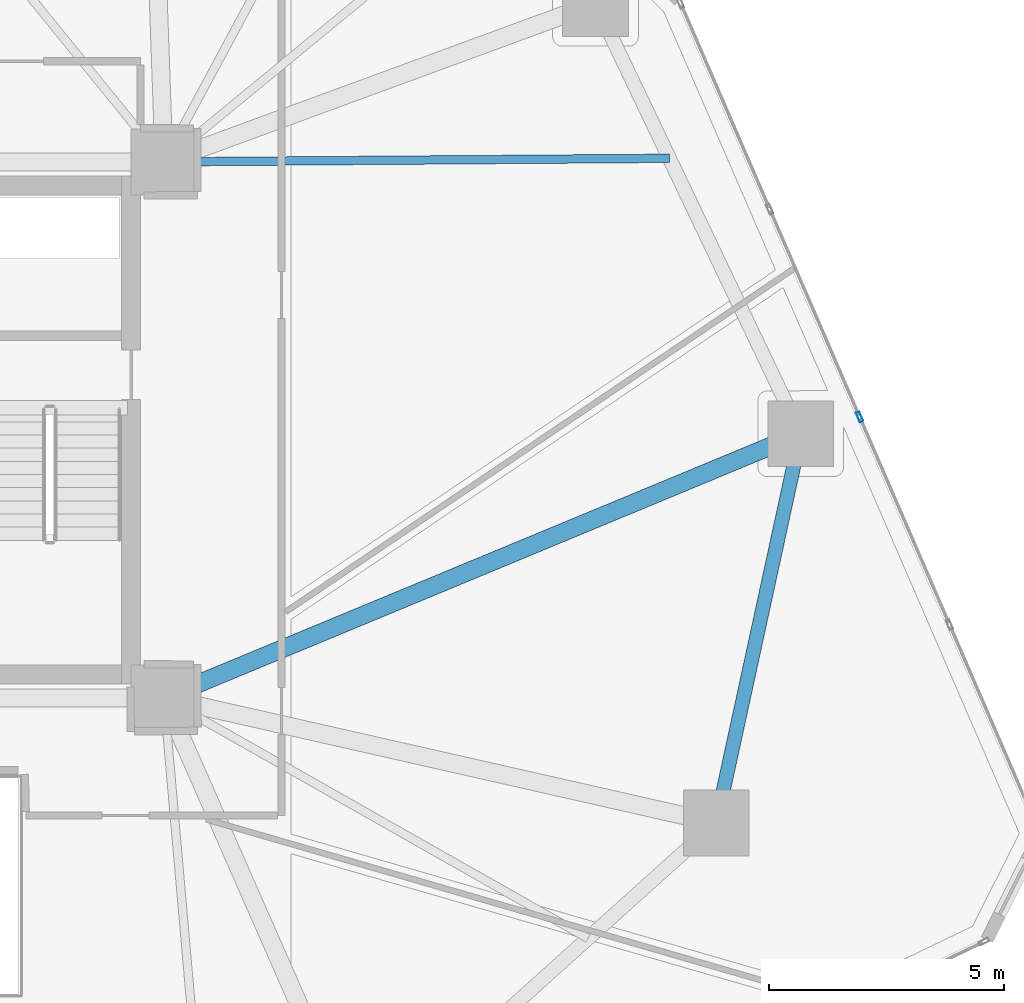
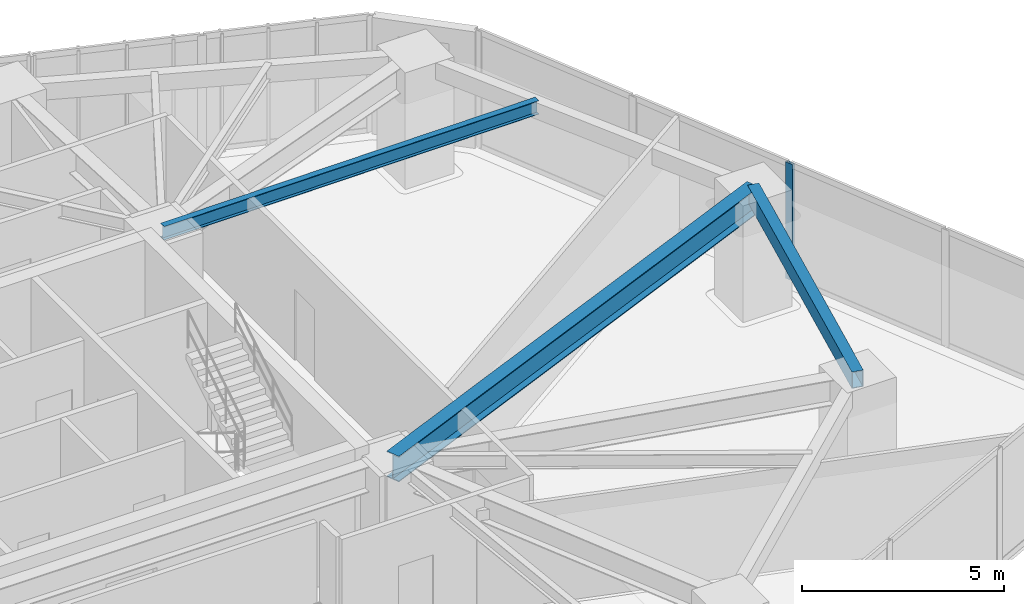
# One storey, part 11 of 23: 3 beams, 1 member, 1 element without a shape of its own.
"""IFC4 building model written with IfcOpenShell, lengths in metres."""

from ifc_helpers import new_model, si_unit, direction, frame, origin, origin_2d, place, context, subcontext, project, spatial, hollow_rectangle, i_section, extrude, source, transform, mapped, material, layer, layer_set, material_profile, profile_set, type_object, type_shapes, element, aggregate, save


model = new_model("IFC4")

# Units and contexts
model_context = context("Model", 3, precision=1e-05, world=origin(), true_north=direction((0.0, 1.0)))
body_context = subcontext(model_context, "Body", "Model", "MODEL_VIEW")
ifc_project = project(units=[si_unit("LENGTHUNIT", "METRE"), si_unit("AREAUNIT", "SQUARE_METRE"), si_unit("VOLUMEUNIT", "CUBIC_METRE"), si_unit("PLANEANGLEUNIT", "RADIAN"), si_unit("MASSUNIT", "GRAM", prefix="KILO")], contexts=[model_context])

# Site, building, storey
site_placement = place(None, origin())
site = spatial("IfcSite", under=ifc_project, at=site_placement, CompositionType="ELEMENT")
building_placement = place(site_placement, origin())
building = spatial("IfcBuilding", under=site, at=building_placement, Name="Talar Marvaseh", CompositionType="ELEMENT")
storey_placement = place(building_placement, frame((0.0, 0.0, 35.39990234375)))
storey = spatial("IfcBuildingStorey", under=building, at=storey_placement, Name="L08", CompositionType="ELEMENT", Elevation=35.39990234375)

# Beams
ifc_material_1 = material(Name="Steel S355", Category="steel")
ifc_material_profile_1 = material_profile(ifc_material_1, hollow_rectangle(XDim=0.300048828125, YDim=0.5, WallThickness=0.02001953125, at=origin_2d()), Name="RHS500x300x20")
ifc_profile_set_1 = profile_set([ifc_material_profile_1], Name="Steel S355")
beam_type_1 = type_object("IfcBeamType", Name="Zone 1 Perimeter Spandrel Beam RHS500x300x20", PredefinedType="SPANDREL", material=ifc_profile_set_1)
beam_1_placement = place(storey_placement, frame((46.841064453125, 31.118896484375, 3.27001953125), z_axis=(-0.212134113363, -0.977240562987, 0.0), x_axis=(0.977240562987, -0.212134113363, 0.0)))
element("IfcBeam", 1, at=beam_1_placement, inside=storey, type_object=beam_type_1, Name="L08 Zone 1 Perimeter Spandrel Beam RHS500x300x20", PredefinedType="SPANDREL", context=body_context, shape_type="SweptSolid", body=[
    extrude(hollow_rectangle(XDim=0.300048828125, YDim=0.5, WallThickness=0.02001953125, at=origin_2d()), origin(), (0.0, 0.0, 1.0), 8.4716796875),
])
ifc_material_profile_2 = material_profile(ifc_material_1, i_section(OverallWidth=0.381103515625, OverallDepth=0.77294921875, WebThickness=0.0166015625, FlangeThickness=0.027099609375, at=origin_2d()), Name="W760x257")
ifc_profile_set_2 = profile_set([ifc_material_profile_2], Name="Steel S355")
beam_type_2 = type_object("IfcBeamType", Name="Zone 1 Radial Floor Girder W760x257", PredefinedType="BEAM", material=ifc_profile_set_2)
beam_2_placement = place(storey_placement, frame((46.841064453125, 31.118896484375, 3.133544921875), z_axis=(-0.923637605375, -0.383266974753, 0.0), x_axis=(0.383266974753, -0.923637605375, 0.0)))
element("IfcBeam", 2, at=beam_2_placement, inside=storey, type_object=beam_type_2, Name="L08 Zone 1 Radial Floor Girder W760x257", PredefinedType="BEAM", context=body_context, shape_type="SweptSolid", body=[
    extrude(i_section(OverallWidth=0.381103515625, OverallDepth=0.77294921875, WebThickness=0.0166015625, FlangeThickness=0.027099609375, at=origin_2d()), origin(), (0.0, 0.0, 1.0), 14.66064453125),
])
ifc_material_profile_3 = material_profile(ifc_material_1, i_section(OverallWidth=0.179931640625, OverallDepth=0.4130859375, WebThickness=0.009765625, FlangeThickness=0.01611328125, at=origin_2d()), Name="W410x75")
ifc_profile_set_3 = profile_set([ifc_material_profile_3], Name="Steel S355")
beam_type_3 = type_object("IfcBeamType", Name="Zone 1 Secondary Floor Joist W410x75", PredefinedType="JOIST", material=ifc_profile_set_3)
beam_3_placement = place(storey_placement, frame((44.048095703125, 36.97509765625, 3.3134765625), z_axis=(-0.999975527604, -0.006996012686, 0.0), x_axis=(0.006996012686, -0.999975527604, 0.0)))
element("IfcBeam", 3, at=beam_3_placement, inside=storey, type_object=beam_type_3, Name="L08 Zone 1 Secondary Floor Joist W410x75", PredefinedType="JOIST", context=body_context, shape_type="SweptSolid", body=[
    extrude(i_section(OverallWidth=0.179931640625, OverallDepth=0.4130859375, WebThickness=0.009765625, FlangeThickness=0.01611328125, at=origin_2d()), origin(), (0.0, 0.0, 1.0), 10.748291015625),
])

# Curtain wall, member
ifc_material_2 = material(Name="Architectural Aluminium", Category="aluminium")
ifc_layer = layer(ifc_material_2, 0.219970703125)
ifc_layer_set = layer_set([ifc_layer], Name="Architectural Aluminium")
curtain_wall_type = type_object("IfcCurtainWallType", Name="Unitised Low-E Museum Curtain Wall Z1", PredefinedType="NOTDEFINED", material=ifc_layer_set)
curtain_wall_placement = place(storey_placement, origin())
curtain_wall = element("IfcCurtainWall", 4, at=curtain_wall_placement, inside=storey, type_object=curtain_wall_type, Name="L08 Unitised Low-E Museum Curtain Wall Z1", PredefinedType="NOTDEFINED")
ifc_material_profile_4 = material_profile(ifc_material_2, hollow_rectangle(XDim=0.080078125, YDim=0.219970703125, WallThickness=0.0048828125, at=origin_2d()), Name="RHS220x80x5")
ifc_profile_set_4 = profile_set([ifc_material_profile_4], Name="Architectural Aluminium")
member_type = type_object("IfcMemberType", Name="Unitised Curtain Wall Heavy Mullion RHS220x80x5", PredefinedType="MULLION", material=ifc_profile_set_4)
shared_shape = source(origin(), body_context, "Body", "SweptSolid", [
    extrude(hollow_rectangle(XDim=0.080078125, YDim=0.219970703125, WallThickness=0.0048828125, at=origin_2d()), origin(), (0.0, 0.0, 1.0), 3.52001953125),
])
type_shapes(member_type, [shared_shape])
member_placement = place(storey_placement, frame((48.093994140625, 31.4736328125, 0.0), z_axis=(0.0, 0.0, 1.0), x_axis=(0.917727793026, 0.397209891503, 0.0)))
member = element("IfcMember", 5, at=member_placement, type_object=member_type, Name="CW-Z1 mullion 3", PredefinedType="MULLION", context=body_context, shape_type="MappedRepresentation", body=[
    mapped(shared_shape, transform((0.0, 0.0, 0.0), x_axis=(1.0, 0.0, 0.0), y_axis=(0.0, 1.0, 0.0), z_axis=(0.0, 0.0, 1.0), scale=1.0)),
])
aggregate(curtain_wall, [member])

save(model, "model.ifc")
